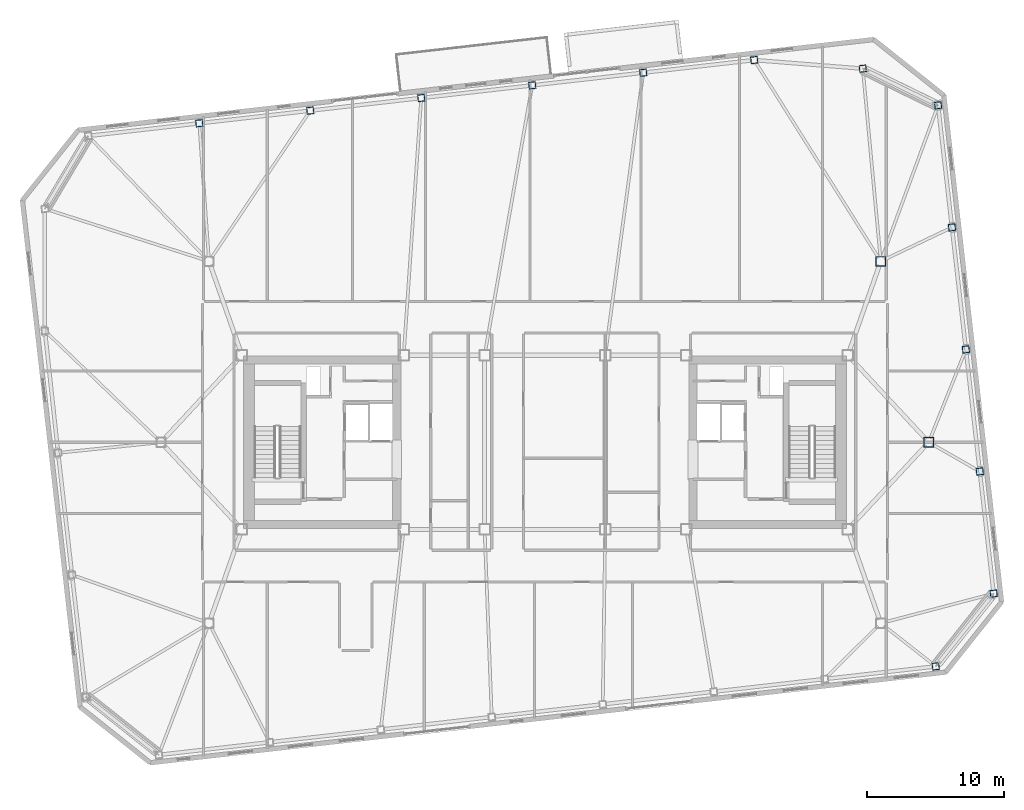
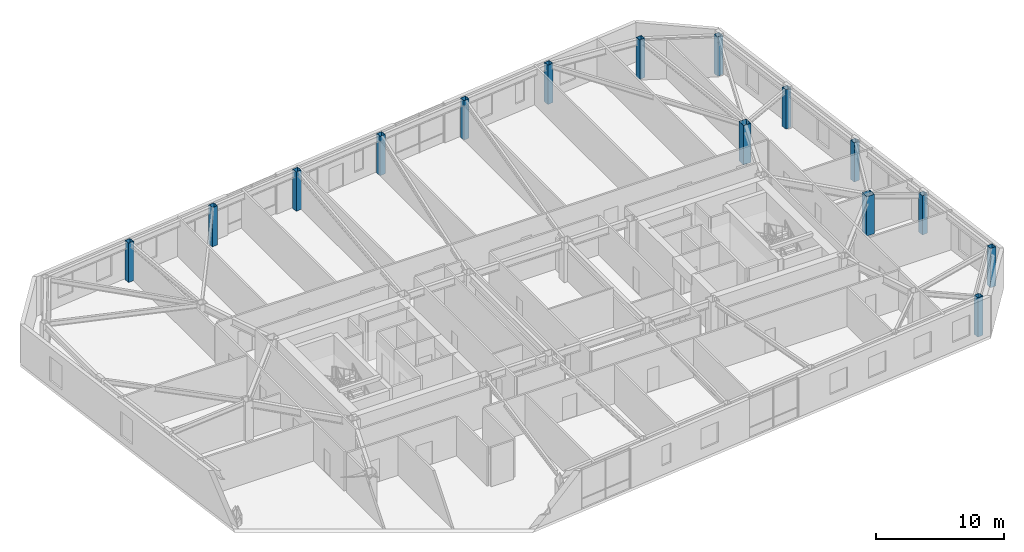
# One storey, part 2 of 20: 15 columns.
"""IFC4 building model written with IfcOpenShell, lengths in metres."""

from ifc_helpers import new_model, si_unit, direction, frame, origin, origin_2d, place, context, subcontext, project, spatial, hollow_rectangle, extrude, material, material_profile, profile_set, type_object, element, save


model = new_model("IFC4")

# Units and contexts
model_context = context("Model", 3, precision=1e-05, world=origin(), true_north=direction((0.0, 1.0)))
body_context = subcontext(model_context, "Body", "Model", "MODEL_VIEW")
ifc_project = project(units=[si_unit("LENGTHUNIT", "METRE"), si_unit("AREAUNIT", "SQUARE_METRE"), si_unit("VOLUMEUNIT", "CUBIC_METRE"), si_unit("PLANEANGLEUNIT", "RADIAN"), si_unit("MASSUNIT", "GRAM", prefix="KILO")], contexts=[model_context])

# Site, building, storey
site_placement = place(None, origin())
site = spatial("IfcSite", under=ifc_project, at=site_placement, CompositionType="ELEMENT")
building_placement = place(site_placement, origin())
building = spatial("IfcBuilding", under=site, at=building_placement, Name="Tavrogorsk Clinical Tower", CompositionType="ELEMENT")
storey_placement = place(building_placement, frame((0.0, 0.0, 251.0)))
storey = spatial("IfcBuildingStorey", under=building, at=storey_placement, Name="L58", CompositionType="ELEMENT", Elevation=251.0)

# Columns
ifc_material_1 = material(Name="Structural steel S440", Category="steel")
ifc_material_profile_1 = material_profile(ifc_material_1, hollow_rectangle(XDim=0.699951171875, YDim=0.699951171875, WallThickness=0.031982421875, at=origin_2d()), Name="BOX-700x700x32")
ifc_profile_set_1 = profile_set([ifc_material_profile_1], Name="Structural steel S440")
column_type_1 = type_object("IfcColumnType", Name="MegaCol_BOX700", PredefinedType="COLUMN", material=ifc_profile_set_1)
for number, where, z_axis, x_axis, name in (
    (1, (24.5, 13.199951171875, 0.0), (0.0, 0.0, 1.0), (1.0, 0.0, 0.0), "L58 Spine Pilotis Column MC-P4"),
    (2, (28.0, 0.0, 0.0), (0.0, 0.0, 1.0), (1.0, 0.0, 0.0), "L58 Spine Pilotis Column MC-P6"),
):
    element("IfcColumn", number, at=place(storey_placement, frame(where, z_axis=z_axis, x_axis=x_axis)), inside=storey, type_object=column_type_1, Name=name, PredefinedType="COLUMN", context=body_context, shape_type="SweptSolid", body=[
        extrude(hollow_rectangle(XDim=0.699951171875, YDim=0.699951171875, WallThickness=0.031982421875, at=origin_2d()), origin(), (0.0, 0.0, 1.0), 3.739990234375),
    ])
ifc_material_2 = material(Name="Structural steel S440", Category="steel")
ifc_material_profile_2 = material_profile(ifc_material_2, hollow_rectangle(XDim=0.5, YDim=0.5, WallThickness=0.02490234375, at=origin_2d()), Name="BOX-500x500x25")
ifc_profile_set_2 = profile_set([ifc_material_profile_2], Name="Structural steel S440")
column_type_2 = type_object("IfcColumnType", Name="PerimCol_B4_BOX500", PredefinedType="COLUMN", material=ifc_profile_set_2)
for number, where, z_axis, x_axis, name in (
    (3, (28.508544921875, -16.345458984375, 0.0), (0.0, 0.0, 1.0), (0.993571855677, 0.113203213768, 0.0), "L58 Perimeter Column S8"),
    (4, (23.188232421875, 27.25341796875, 0.0), (0.0, 0.0, 1.0), (0.993571855677, 0.113203213768, 0.0), "L58 Perimeter Column N1"),
    (5, (15.2685546875, 27.880126953125, 0.0), (0.0, 0.0, 1.0), (0.993571855677, 0.113203213768, 0.0), "L58 Perimeter Column N2"),
    (6, (7.17236328125, 26.95751953125, 0.0), (0.0, 0.0, 1.0), (0.993571855677, 0.113203213768, 0.0), "L58 Perimeter Column N3"),
    (7, (-0.923828125, 26.03515625, 0.0), (0.0, 0.0, 1.0), (0.993571855677, 0.113203213768, 0.0), "L58 Perimeter Column N4"),
    (8, (-9.02001953125, 25.11279296875, 0.0), (0.0, 0.0, 1.0), (0.993571855677, 0.113203213768, 0.0), "L58 Perimeter Column N5"),
    (9, (-17.1162109375, 24.190185546875, 0.0), (0.0, 0.0, 1.0), (0.993571855677, 0.113203213768, 0.0), "L58 Perimeter Column N6"),
    (10, (-25.21240234375, 23.267822265625, 0.0), (0.0, 0.0, 1.0), (0.993571855677, 0.113203213768, 0.0), "L58 Perimeter Column N7"),
    (11, (32.734375, -11.032958984375, 0.0), (0.0, 0.0, 1.0), (0.993571855677, 0.113203213768, 0.0), "L58 Perimeter Column E1"),
    (12, (31.72021484375, -2.130615234375, 0.0), (0.0, 0.0, 1.0), (0.993571855677, 0.113203213768, 0.0), "L58 Perimeter Column E2"),
    (13, (30.705810546875, 6.77197265625, 0.0), (0.0, 0.0, 1.0), (0.993571855677, 0.113203213768, 0.0), "L58 Perimeter Column E3"),
    (14, (29.69140625, 15.67431640625, 0.0), (0.0, 0.0, 1.0), (0.993571855677, 0.113203213768, 0.0), "L58 Perimeter Column E4"),
    (15, (28.67724609375, 24.57666015625, 0.0), (0.0, 0.0, 1.0), (0.993571855677, 0.113203213768, 0.0), "L58 Perimeter Column E5"),
):
    element("IfcColumn", number, at=place(storey_placement, frame(where, z_axis=z_axis, x_axis=x_axis)), inside=storey, type_object=column_type_2, Name=name, PredefinedType="COLUMN", context=body_context, shape_type="SweptSolid", body=[
        extrude(hollow_rectangle(XDim=0.5, YDim=0.5, WallThickness=0.02490234375, at=origin_2d()), origin(), (0.0, 0.0, 1.0), 3.739990234375),
    ])

save(model, "model.ifc")
